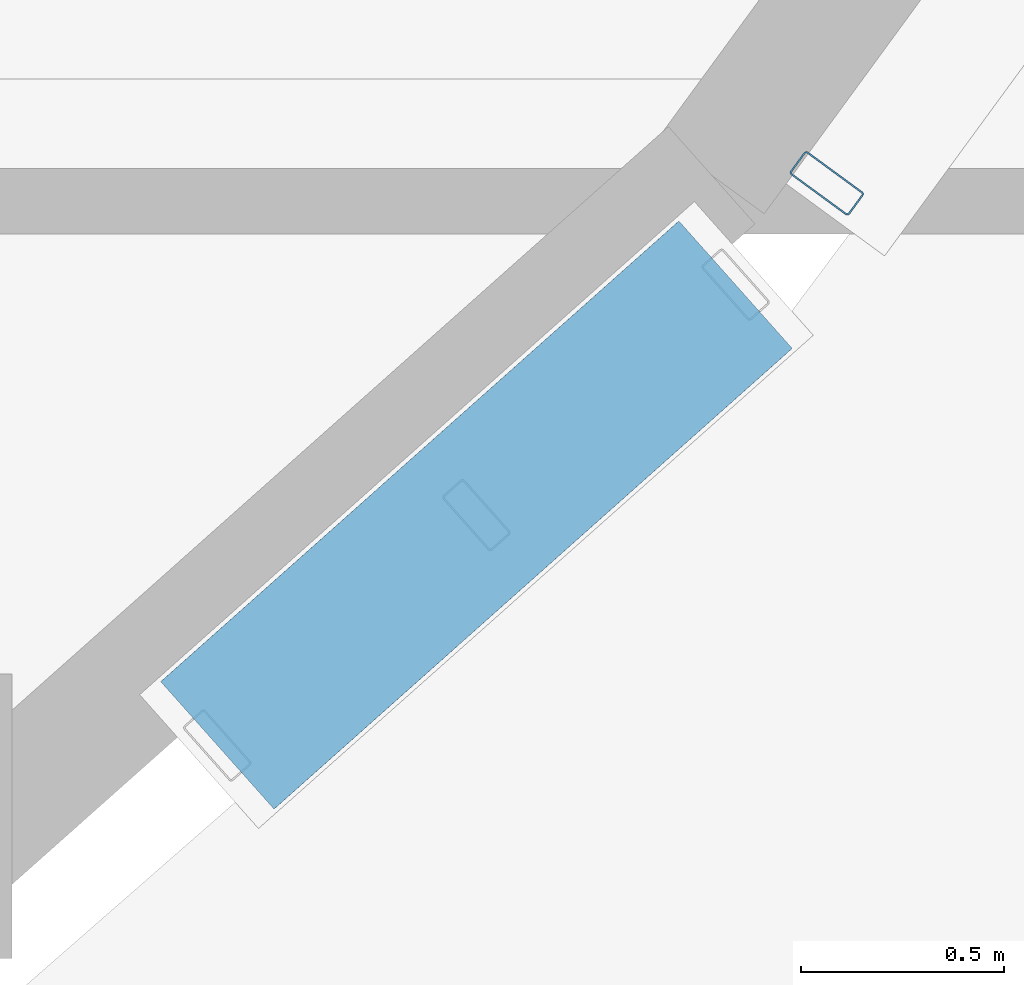
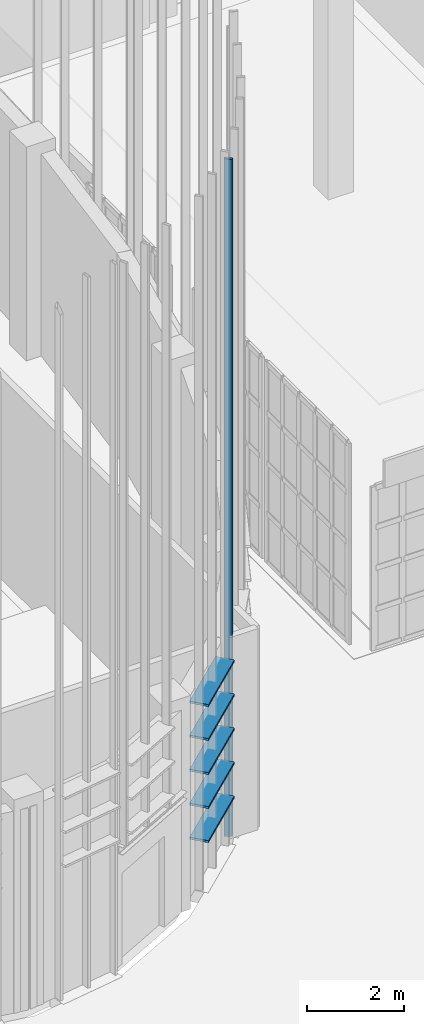
# One storey, part 260 of 372: 6 members.
"""IFC4 building model written with IfcOpenShell, lengths in metres."""

from ifc_helpers import new_model, si_unit, direction, frame, origin, origin_2d, place, context, subcontext, project, spatial, hollow_rectangle, extrude, material, material_profile, profile_set, type_object, element, save


model = new_model("IFC4")

# Units and contexts
model_context = context("Model", 3, precision=1e-05, world=origin(), true_north=direction((0.0, 1.0)))
body_context = subcontext(model_context, "Body", "Model", "MODEL_VIEW")
ifc_project = project(units=[si_unit("LENGTHUNIT", "METRE"), si_unit("AREAUNIT", "SQUARE_METRE"), si_unit("VOLUMEUNIT", "CUBIC_METRE"), si_unit("PLANEANGLEUNIT", "RADIAN"), si_unit("MASSUNIT", "GRAM", prefix="KILO")], contexts=[model_context])

# Site, building, storey
site_placement = place(None, origin())
site = spatial("IfcSite", under=ifc_project, at=site_placement, CompositionType="ELEMENT")
building_placement = place(site_placement, origin())
building = spatial("IfcBuilding", under=site, at=building_placement, Name="Kaelora Sail Theatre", CompositionType="ELEMENT")
storey_placement = place(building_placement, origin())
storey = spatial("IfcBuildingStorey", under=building, at=storey_placement, Name="L00", CompositionType="ELEMENT", Elevation=0.0)

# Members
ifc_material_1 = material(Name="Anodised aluminium 6063-T6", Category="aluminium")
ifc_material_profile_1 = material_profile(ifc_material_1, hollow_rectangle(XDim=0.419921875, YDim=0.054931640625, WallThickness=0.00390625, InnerFilletRadius=0.00390625, OuterFilletRadius=0.008056640625, at=origin_2d()), Name="LOUVRE 420x55x4")
ifc_profile_set_1 = profile_set([ifc_material_profile_1], Name="Anodised aluminium 6063-T6")
member_type_1 = type_object("IfcMemberType", Name="ARC-MEM-LVR-420", PredefinedType="USERDEFINED", material=ifc_profile_set_1)
for number, where, z_axis, x_axis, name in (
    (1, (141.635009765625, 26.794921875, 1.25), (-0.747346111026, -0.664434940633, 0.0), (0.664434940633, -0.747346111026, 0.0), "Black-Box and Experimental Sail Wing horizontal solar louvre C8-01"),
    (2, (141.635009765625, 26.794921875, 2.110107421875), (-0.747346111026, -0.664434940633, 0.0), (0.664434940633, -0.747346111026, 0.0), "Black-Box and Experimental Sail Wing horizontal solar louvre C8-02"),
    (3, (141.635009765625, 26.794921875, 2.969970703125), (-0.747346111026, -0.664434940633, 0.0), (0.664434940633, -0.747346111026, 0.0), "Black-Box and Experimental Sail Wing horizontal solar louvre C8-03"),
    (4, (141.635009765625, 26.794921875, 3.830078125), (-0.747346111026, -0.664434940633, 0.0), (0.664434940633, -0.747346111026, 0.0), "Black-Box and Experimental Sail Wing horizontal solar louvre C8-04"),
    (5, (141.635009765625, 26.794921875, 4.68994140625), (-0.747346111026, -0.664434940633, 0.0), (0.664434940633, -0.747346111026, 0.0), "Black-Box and Experimental Sail Wing horizontal solar louvre C8-05"),
):
    element("IfcMember", number, at=place(storey_placement, frame(where, z_axis=z_axis, x_axis=x_axis)), inside=storey, type_object=member_type_1, Name=name, ObjectType="LOUVRE", PredefinedType="USERDEFINED", context=body_context, shape_type="SweptSolid", body=[
        extrude(hollow_rectangle(XDim=0.419921875, YDim=0.054931640625, WallThickness=0.00390625, InnerFilletRadius=0.00390625, OuterFilletRadius=0.008056640625, at=origin_2d()), origin(), (0.0, 0.0, 1.0), 1.704833984375),
    ])
ifc_material_2 = material(Name="Anodised aluminium 6063-T6", Category="aluminium")
ifc_material_profile_2 = material_profile(ifc_material_2, hollow_rectangle(XDim=0.070068359375, YDim=0.179931640625, WallThickness=0.00390625, InnerFilletRadius=0.00390625, OuterFilletRadius=0.008056640625, at=origin_2d()), Name="ALU-MULL 70x180x4")
ifc_profile_set_2 = profile_set([ifc_material_profile_2], Name="Anodised aluminium 6063-T6")
member_type_2 = type_object("IfcMemberType", Name="ARC-MEM-PST-160", PredefinedType="POST", material=ifc_profile_set_2)
member_placement = place(storey_placement, frame((141.859130859375, 27.0439453125, 0.0), z_axis=(0.0, 0.0, 1.0), x_axis=(-0.590464817481, -0.807063379987, 0.0)))
element("IfcMember", 6, at=member_placement, inside=storey, type_object=member_type_2, Name="Black-Box and Experimental Sail Wing solar louvre vertical support post C7-3", PredefinedType="POST", context=body_context, shape_type="SweptSolid", body=[
    extrude(hollow_rectangle(XDim=0.070068359375, YDim=0.179931640625, WallThickness=0.00390625, InnerFilletRadius=0.00390625, OuterFilletRadius=0.008056640625, at=origin_2d()), origin(), (0.0, 0.0, 1.0), 17.119140625),
])

save(model, "model.ifc")
